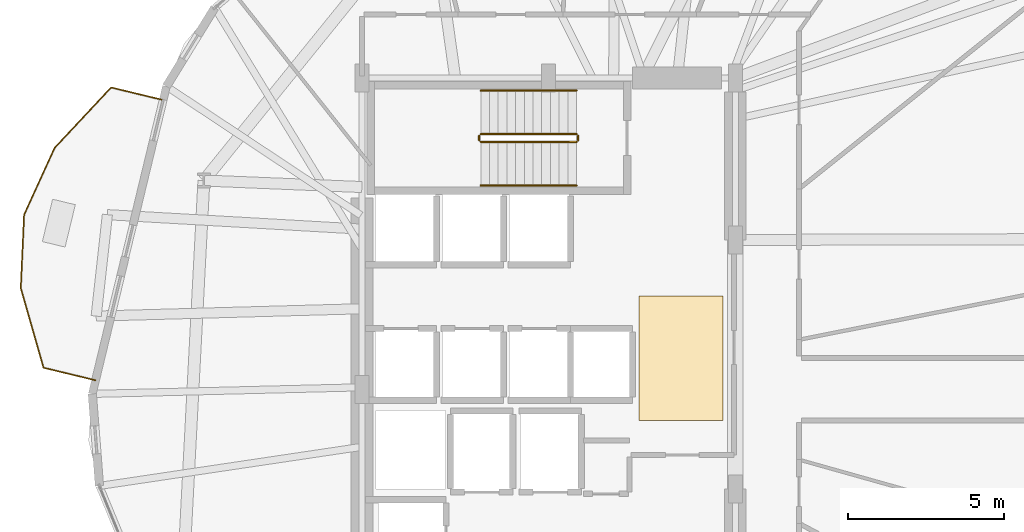
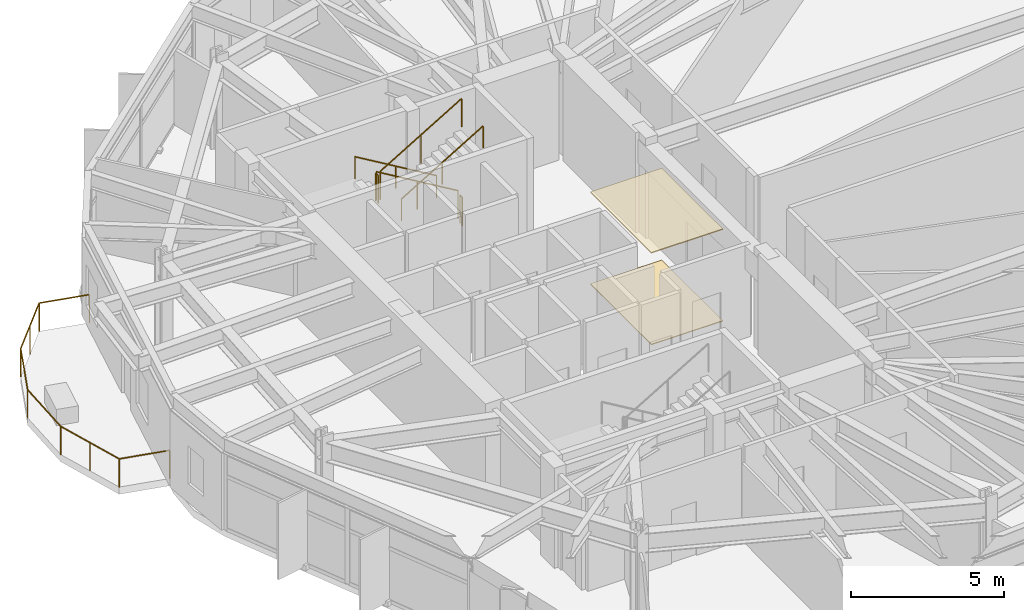
# One storey, part 21 of 22: 7 railings, 2 coverings.
"""IFC4 building model written with IfcOpenShell, lengths in metres."""

from ifc_helpers import new_model, si_unit, direction, frame, origin, origin_2d, place, context, subcontext, project, spatial, polyline, circle, outline, extrude, material, layer, layer_set, type_object, element, save


model = new_model("IFC4")

# Units and contexts
model_context = context("Model", 3, precision=1e-05, world=origin(), true_north=direction((0.0, 1.0)))
body_context = subcontext(model_context, "Body", "Model", "MODEL_VIEW")
ifc_project = project(units=[si_unit("LENGTHUNIT", "METRE"), si_unit("AREAUNIT", "SQUARE_METRE"), si_unit("VOLUMEUNIT", "CUBIC_METRE"), si_unit("PLANEANGLEUNIT", "RADIAN"), si_unit("MASSUNIT", "GRAM", prefix="KILO")], contexts=[model_context])

# Site, building, storey
site_placement = place(None, origin())
site = spatial("IfcSite", under=ifc_project, at=site_placement, CompositionType="ELEMENT")
building_placement = place(site_placement, origin())
building = spatial("IfcBuilding", under=site, at=building_placement, Name="Soratama Intermodal Tower", CompositionType="ELEMENT")
storey_placement = place(building_placement, frame((0.0, 0.0, 50.60009765625)))
storey = spatial("IfcBuildingStorey", under=building, at=storey_placement, Name="L11", CompositionType="ELEMENT", Elevation=50.60009765625)

# Coverings
ifc_material_1 = material(Name="Perforated mineral acoustic ceiling", Category="concrete")
ifc_layer_1 = layer(ifc_material_1, 0.0400390625)
ifc_layer_set_1 = layer_set([ifc_layer_1], Name="Perforated mineral acoustic ceiling")
covering_type_1 = type_object("IfcCoveringType", Name="CV-CEIL-ACOUSTIC", PredefinedType="CEILING", material=ifc_layer_set_1)
covering_1_placement = place(storey_placement, frame((0.0, 0.0, 3.659912109375)))
element("IfcCovering", 1, at=covering_1_placement, inside=storey, type_object=covering_type_1, Name="L11 Acoustic Ceiling", PredefinedType="CEILING", context=body_context, shape_type="SweptSolid", body=[
    extrude(outline(polyline([(41.5, 24.0), (44.199951171875, 24.0), (44.199951171875, 28.0), (41.5, 28.0), (41.5, 24.0)])), origin(), (0.0, 0.0, 1.0), 0.0400390625),
])
ifc_material_2 = material(Name="Polished Andean stone terrazzo flooring", Category="masonry")
ifc_layer_2 = layer(ifc_material_2, 0.030029296875)
ifc_layer_set_2 = layer_set([ifc_layer_2], Name="Polished Andean stone terrazzo flooring")
covering_type_2 = type_object("IfcCoveringType", Name="CV-FLOR-TERRAZZO", PredefinedType="FLOORING", material=ifc_layer_set_2)
covering_2_placement = place(storey_placement, origin())
element("IfcCovering", 2, at=covering_2_placement, inside=storey, type_object=covering_type_2, Name="L11 Lobby Terrazzo Flooring", PredefinedType="FLOORING", context=body_context, shape_type="SweptSolid", body=[
    extrude(outline(polyline([(41.5, 24.0), (44.199951171875, 24.0), (44.199951171875, 28.0), (41.5, 28.0), (41.5, 24.0)])), origin(), (0.0, 0.0, 1.0), 0.02978515625),
])

# Railings
ifc_material_3 = material(Name="Laminated glass and stainless steel balustrade", Category="steel")
railing_type_1 = type_object("IfcRailingType", Name="RL-BAL-1150", PredefinedType="BALUSTRADE", material=ifc_material_3)
railing_1_placement = place(storey_placement, frame((24.041015625, 25.28955078125, 0.0)))
element("IfcRailing", 3, at=railing_1_placement, inside=storey, type_object=railing_type_1, Name="L11 Balcony Balustrade 3", PredefinedType="BALUSTRADE", context=body_context, shape_type="SweptSolid", body=[
    extrude(circle(Radius=0.02392578125, at=origin_2d()), frame((0.0, 0.0, 1.1259765625), z_axis=(-0.97212126743, 0.234478658752, 0.0), x_axis=(-0.234478658752, -0.97212126743, 0.0)), (0.0, 0.0, 1.0), 1.719970703125),
    extrude(circle(Radius=0.02392578125, at=origin_2d()), frame((-1.672119140625, 0.4033203125, 1.1259765625), z_axis=(-0.274733243242, 0.961520486031, 0.0), x_axis=(-0.961520486031, -0.274733243242, 0.0)), (0.0, 0.0, 1.0), 2.661376953125),
    extrude(circle(Radius=0.02392578125, at=origin_2d()), frame((-2.4033203125, 2.96240234375, 1.1259765625), z_axis=(0.045116638962, 0.998981726003, 0.0), x_axis=(-0.998981726003, 0.045116638962, 0.0)), (0.0, 0.0, 1.0), 2.359375),
    extrude(circle(Radius=0.02392578125, at=origin_2d()), frame((-2.296875, 5.3193359375, 1.1259765625), z_axis=(0.415229060114, 0.909716894224, 0.0), x_axis=(-0.909716894224, 0.415229060114, 0.0)), (0.0, 0.0, 1.0), 2.359619140625),
    extrude(circle(Radius=0.02392578125, at=origin_2d()), frame((-1.317138671875, 7.4658203125, 1.1259765625), z_axis=(0.682854079009, 0.730554793825, 0.0), x_axis=(-0.730554793825, 0.682854079009, 0.0)), (0.0, 0.0, 1.0), 2.661376953125),
    extrude(circle(Radius=0.02392578125, at=origin_2d()), frame((0.500244140625, 9.41015625, 1.1259765625), z_axis=(0.97212126743, -0.234478658752, 0.0), x_axis=(0.234478658752, 0.97212126743, 0.0)), (0.0, 0.0, 1.0), 1.719970703125),
    extrude(circle(Radius=0.02099609375, at=origin_2d()), origin(), (0.0, 0.0, 1.0), 1.101806640625),
    extrude(circle(Radius=0.02099609375, at=origin_2d()), frame((-1.672119140625, 0.4033203125, 0.0)), (0.0, 0.0, 1.0), 1.101806640625),
    extrude(circle(Radius=0.02099609375, at=origin_2d()), frame((-2.03759765625, 1.682861328125, 0.0)), (0.0, 0.0, 1.0), 1.101806640625),
    extrude(circle(Radius=0.02099609375, at=origin_2d()), frame((-2.4033203125, 2.96240234375, 0.0)), (0.0, 0.0, 1.0), 1.101806640625),
    extrude(circle(Radius=0.02099609375, at=origin_2d()), frame((-2.296875, 5.3193359375, 0.0)), (0.0, 0.0, 1.0), 1.101806640625),
    extrude(circle(Radius=0.02099609375, at=origin_2d()), frame((-1.317138671875, 7.4658203125, 0.0)), (0.0, 0.0, 1.0), 1.101806640625),
    extrude(circle(Radius=0.02099609375, at=origin_2d()), frame((-0.408447265625, 8.43798828125, 0.0)), (0.0, 0.0, 1.0), 1.101806640625),
    extrude(circle(Radius=0.02099609375, at=origin_2d()), frame((0.500244140625, 9.41015625, 0.0)), (0.0, 0.0, 1.0), 1.101806640625),
    extrude(circle(Radius=0.02099609375, at=origin_2d()), frame((2.17236328125, 9.0068359375, 0.0)), (0.0, 0.0, 1.0), 1.101806640625),
])
ifc_material_4 = material(Name="Painted steel stair guardrail", Category="steel")
railing_type_2 = type_object("IfcRailingType", Name="RL-STAIR-GUARD", PredefinedType="GUARDRAIL", material=ifc_material_4)
railing_2_placement = place(storey_placement, frame((39.5, 33.199951171875, 0.16650390625)))
element("IfcRailing", 4, at=railing_2_placement, inside=storey, type_object=railing_type_2, Name="L11 ST-2 stair guard 1", PredefinedType="GUARDRAIL", context=body_context, shape_type="SweptSolid", body=[
    extrude(circle(Radius=0.02392578125, at=origin_2d()), frame((0.0, 0.0, 1.1259765625), z_axis=(-0.85927862911, 0.0, 0.511507807912), x_axis=(0.0, -1.0, 0.0)), (0.0, 0.0, 1.0), 3.58447265625),
    extrude(circle(Radius=0.02099609375, at=origin_2d()), origin(), (0.0, 0.0, 1.0), 1.101806640625),
    extrude(circle(Radius=0.02099609375, at=origin_2d()), frame((-1.5400390625, 0.0, 0.916748046875)), (0.0, 0.0, 1.0), 1.101806640625),
    extrude(circle(Radius=0.02099609375, at=origin_2d()), frame((-3.080078125, 0.0, 1.83349609375)), (0.0, 0.0, 1.0), 1.101806640625),
])
railing_3_placement = place(storey_placement, frame((36.3701171875, 33.14990234375, 2.0)))
element("IfcRailing", 5, at=railing_3_placement, inside=storey, type_object=railing_type_2, Name="L11 ST-2 stair guard 2", PredefinedType="GUARDRAIL", context=body_context, shape_type="SweptSolid", body=[
    extrude(circle(Radius=0.02392578125, at=origin_2d()), frame((0.0, 0.0, 1.1259765625), z_axis=(0.0, -1.0, 0.0), x_axis=(1.0, 0.0, 0.0)), (0.0, 0.0, 1.0), 0.14990234375),
    extrude(circle(Radius=0.02099609375, at=origin_2d()), origin(), (0.0, 0.0, 1.0), 1.101806640625),
    extrude(circle(Radius=0.02099609375, at=origin_2d()), frame((0.0, -0.14990234375, 0.0)), (0.0, 0.0, 1.0), 1.101806640625),
])
railing_4_placement = place(storey_placement, frame((36.419921875, 32.949951171875, 2.16650390625)))
element("IfcRailing", 6, at=railing_4_placement, inside=storey, type_object=railing_type_2, Name="L11 ST-2 stair guard 3", PredefinedType="GUARDRAIL", context=body_context, shape_type="SweptSolid", body=[
    extrude(circle(Radius=0.02392578125, at=origin_2d()), frame((0.0, 0.0, 1.1259765625), z_axis=(0.85927862911, 0.0, 0.511507807912), x_axis=(0.0, 1.0, 0.0)), (0.0, 0.0, 1.0), 3.58447265625),
    extrude(circle(Radius=0.02099609375, at=origin_2d()), origin(), (0.0, 0.0, 1.0), 1.101806640625),
    extrude(circle(Radius=0.02099609375, at=origin_2d()), frame((1.5400390625, 0.0, 0.916748046875)), (0.0, 0.0, 1.0), 1.101806640625),
    extrude(circle(Radius=0.02099609375, at=origin_2d()), frame((3.080078125, 0.0, 1.83349609375)), (0.0, 0.0, 1.0), 1.101806640625),
])
railing_5_placement = place(storey_placement, frame((39.550048828125, 33.14990234375, 0.0)))
element("IfcRailing", 7, at=railing_5_placement, inside=storey, type_object=railing_type_2, Name="L11 ST-2 stair guard 4", PredefinedType="GUARDRAIL", context=body_context, shape_type="SweptSolid", body=[
    extrude(circle(Radius=0.02392578125, at=origin_2d()), frame((0.0, 0.0, 1.1259765625), z_axis=(0.0, -1.0, 0.0), x_axis=(1.0, 0.0, 0.0)), (0.0, 0.0, 1.0), 0.14990234375),
    extrude(circle(Radius=0.02099609375, at=origin_2d()), origin(), (0.0, 0.0, 1.0), 1.101806640625),
    extrude(circle(Radius=0.02099609375, at=origin_2d()), frame((0.0, -0.14990234375, 0.0)), (0.0, 0.0, 1.0), 1.101806640625),
])
ifc_material_5 = material(Name="Brushed stainless steel handrail", Category="steel")
railing_type_3 = type_object("IfcRailingType", Name="RL-STAIR-HAND", PredefinedType="HANDRAIL", material=ifc_material_5)
railing_6_placement = place(storey_placement, frame((39.5, 34.60009765625, 0.16650390625)))
element("IfcRailing", 8, at=railing_6_placement, inside=storey, type_object=railing_type_3, Name="L11 ST-2 stair handrail 1", PredefinedType="HANDRAIL", context=body_context, shape_type="SweptSolid", body=[
    extrude(circle(Radius=0.02392578125, at=origin_2d()), frame((0.0, 0.0, 0.8759765625), z_axis=(-0.85927862911, 0.0, 0.511507807912), x_axis=(0.0, -1.0, 0.0)), (0.0, 0.0, 1.0), 3.58447265625),
    extrude(circle(Radius=0.02099609375, at=origin_2d()), origin(), (0.0, 0.0, 1.0), 0.851806640625),
    extrude(circle(Radius=0.02099609375, at=origin_2d()), frame((-1.5400390625, 0.0, 0.916748046875)), (0.0, 0.0, 1.0), 0.851806640625),
    extrude(circle(Radius=0.02099609375, at=origin_2d()), frame((-3.080078125, 0.0, 1.83349609375)), (0.0, 0.0, 1.0), 0.851806640625),
])
railing_7_placement = place(storey_placement, frame((36.419921875, 31.550048828125, 2.16650390625)))
element("IfcRailing", 9, at=railing_7_placement, inside=storey, type_object=railing_type_3, Name="L11 ST-2 stair handrail 2", PredefinedType="HANDRAIL", context=body_context, shape_type="SweptSolid", body=[
    extrude(circle(Radius=0.02392578125, at=origin_2d()), frame((0.0, 0.0, 0.8759765625), z_axis=(0.85927862911, 0.0, 0.511507807912), x_axis=(0.0, 1.0, 0.0)), (0.0, 0.0, 1.0), 3.58447265625),
    extrude(circle(Radius=0.02099609375, at=origin_2d()), origin(), (0.0, 0.0, 1.0), 0.851806640625),
    extrude(circle(Radius=0.02099609375, at=origin_2d()), frame((1.5400390625, 0.0, 0.916748046875)), (0.0, 0.0, 1.0), 0.851806640625),
    extrude(circle(Radius=0.02099609375, at=origin_2d()), frame((3.080078125, 0.0, 1.83349609375)), (0.0, 0.0, 1.0), 0.851806640625),
])

save(model, "model.ifc")
